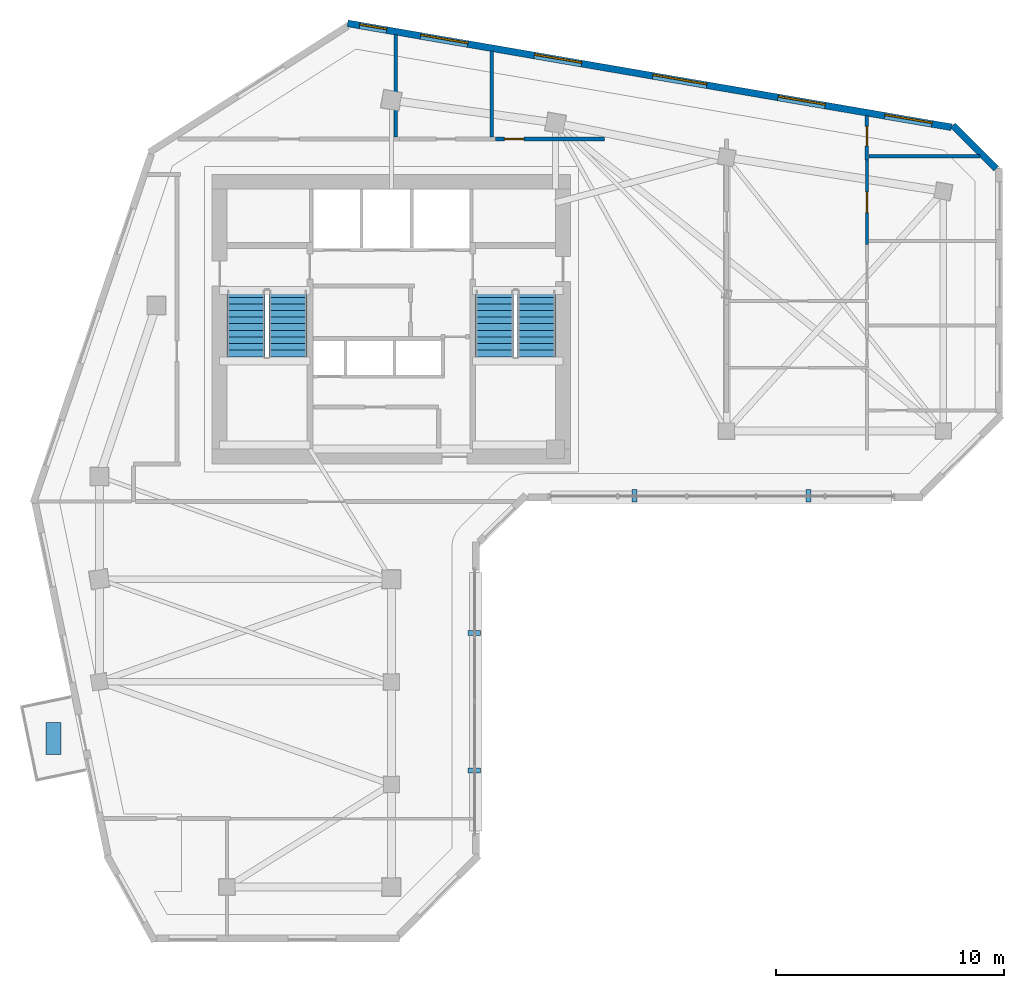
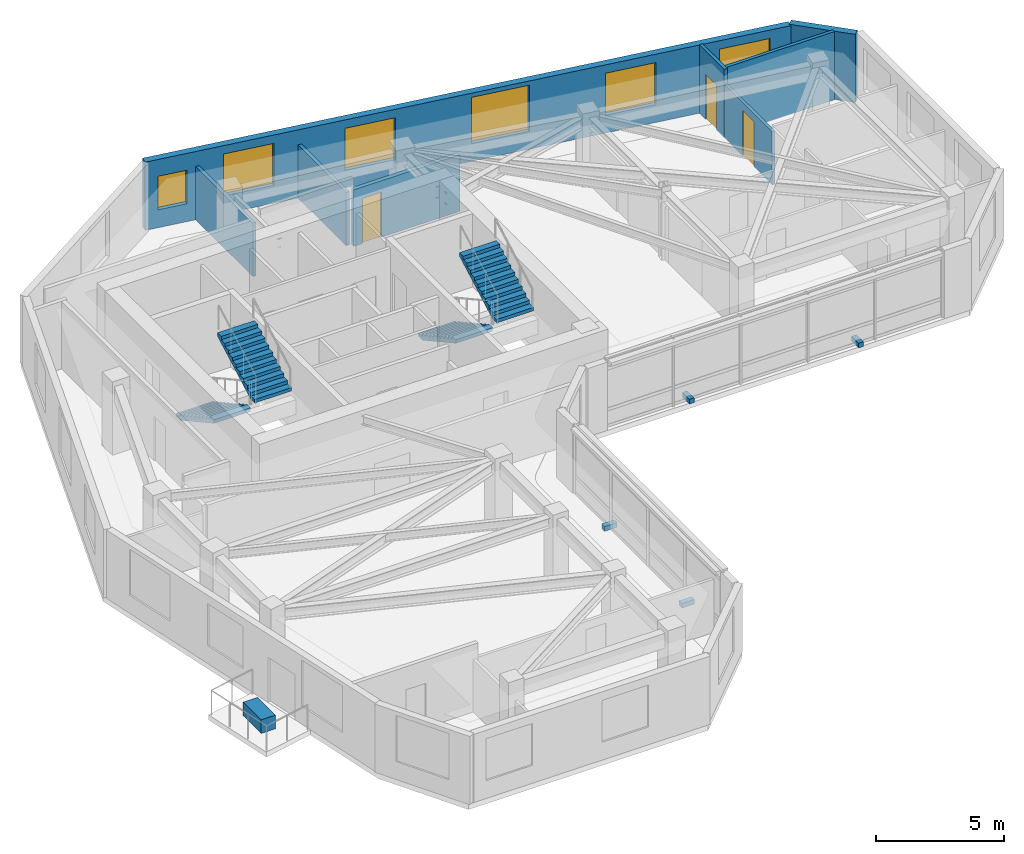
# One storey, part 7 of 10: 8 walls, 6 windows, 5 discrete accessories, 4 stair flights, 3 doors, 9 openings, 2 elements without a shape of their own.
"""IFC4 building model written with IfcOpenShell, lengths in metres."""

from ifc_helpers import new_model, si_unit, direction, frame, frame_2d, origin, origin_2d, place, context, subcontext, project, spatial, polyline, rectangle, outline, extrude, source, transform, mapped, material, layer, layer_set, type_object, element, fill, aggregate, save


model = new_model("IFC4")

# Units and contexts
model_context = context("Model", 3, precision=1e-05, world=origin(), true_north=direction((0.0, 1.0)))
body_context = subcontext(model_context, "Body", "Model", "MODEL_VIEW")
ifc_project = project(units=[si_unit("LENGTHUNIT", "METRE"), si_unit("AREAUNIT", "SQUARE_METRE"), si_unit("VOLUMEUNIT", "CUBIC_METRE"), si_unit("PLANEANGLEUNIT", "RADIAN"), si_unit("MASSUNIT", "GRAM", prefix="KILO")], contexts=[model_context])

# Site, building, storey
site_placement = place(None, origin())
site = spatial("IfcSite", under=ifc_project, at=site_placement, CompositionType="ELEMENT")
building_placement = place(site_placement, origin())
building = spatial("IfcBuilding", under=site, at=building_placement, Name="Calvemar Wedge Station Tower", CompositionType="ELEMENT")
storey_placement = place(building_placement, frame((0.0, 0.0, 204.39990234375)))
storey = spatial("IfcBuildingStorey", under=building, at=storey_placement, Name="L51", CompositionType="ELEMENT", Elevation=204.39990234375)

# Wall, opening, door
ifc_material_1 = material(Name="Double-stud fire-rated corridor partition")
ifc_layer_1 = layer(ifc_material_1, 0.179931640625)
ifc_layer_set_1 = layer_set([ifc_layer_1], Name="Double-stud fire-rated corridor partition")
wall_type_1 = type_object("IfcWallType", Name="W-CORR-180", PredefinedType="PARTITIONING", material=ifc_layer_set_1)
wall_1_placement = place(storey_placement, frame((28.362060546875, 47.800048828125, 0.0), z_axis=(0.0, 0.0, 1.0), x_axis=(1.0, 0.0, 0.0)))
wall_1 = element("IfcWall", 1, at=wall_1_placement, inside=storey, type_object=wall_type_1, Name="Storey L51 Interior Partition WL-L51-013", PredefinedType="PARTITIONING", context=body_context, shape_type="SweptSolid", body=[
    extrude(rectangle(XDim=4.787841796875, YDim=0.179931640625, at=frame_2d((2.39404296875, 0.0))), origin(), (0.0, 0.0, 1.0), 2.68798828125),
])
shared_shape_1 = source(origin(), body_context, "Body", "SweptSolid", [
    extrude(rectangle(XDim=0.85009765625, YDim=2.14990234375, at=frame_2d((0.425048828125, 1.074951171875))), frame((0.0, 0.10009765625, 0.0), z_axis=(0.0, -1.0, 0.0), x_axis=(1.0, 0.0, 0.0)), (0.0, 0.0, 1.0), 0.199951171875),
])
opening_1_placement = place(wall_1_placement, frame((0.400634765625, 0.0, 0.0)))
opening_1 = element("IfcOpeningElement", 2, at=opening_1_placement, cuts=wall_1, Name="Opening D-02", PredefinedType="OPENING", context=body_context, shape_type="MappedRepresentation", body=[
    mapped(shared_shape_1, transform((0.0, 0.0, 0.0), scale=1.0)),
])
ifc_material_2 = material(Name="Moisture-sealed bathroom hardwood swing door", Category="wood")
door_type_1 = type_object("IfcDoorType", Name="DR-WET-850", OperationType="NOTDEFINED", PredefinedType="DOOR", material=ifc_material_2)
shared_shape_2 = source(origin(), body_context, "Body", "SweptSolid", [
    extrude(rectangle(XDim=0.85009765625, YDim=2.14990234375, at=frame_2d((0.425048828125, 1.074951171875))), frame((0.0, 0.02490234375, 0.0), z_axis=(0.0, -1.0, 0.0), x_axis=(1.0, 0.0, 0.0)), (0.0, 0.0, 1.0), 0.050048828125),
])
door_1_placement = place(opening_1_placement, origin())
door_1 = element("IfcDoor", 3, at=door_1_placement, inside=storey, type_object=door_type_1, Name="L51 Storage Room Door", OperationType="SINGLE_SWING_LEFT", OverallHeight=2.14990234375, OverallWidth=0.85009765625, PredefinedType="DOOR", context=body_context, shape_type="MappedRepresentation", body=[
    mapped(shared_shape_2, transform((0.0, 0.0, 0.0), scale=1.0)),
])
fill(opening_1, door_1)

# Wall
ifc_material_3 = material(Name="Precast concrete C45", Category="concrete")
ifc_layer_2 = layer(ifc_material_3, 0.300048828125)
ifc_layer_set_2 = layer_set([ifc_layer_2], Name="Precast concrete C45")
wall_type_2 = type_object("IfcWallType", Name="W-EXT-GFRC-300", PredefinedType="SOLIDWALL", material=ifc_layer_set_2)
wall_2_placement = place(storey_placement, frame((50.31201171875, 46.5, 0.0), z_axis=(0.0, 0.0, 1.0), x_axis=(-0.707106781187, 0.707106781187, 0.0)))
element("IfcWall", 4, at=wall_2_placement, inside=storey, type_object=wall_type_2, Name="Storey L51 Bronze GFRC Exterior Wall 9", PredefinedType="SOLIDWALL", context=body_context, shape_type="SweptSolid", body=[
    extrude(rectangle(XDim=2.67333984375, YDim=0.300048828125, at=frame_2d((1.336669921875, 0.0))), origin(), (0.0, 0.0, 1.0), 3.25),
])

# Wall, openings, windows
wall_3_placement = place(storey_placement, frame((48.361083984375, 48.31298828125, 0.0), z_axis=(0.0, 0.0, 1.0), x_axis=(-0.985523113069, 0.169541126597, 0.0)))
wall_3 = element("IfcWall", 5, at=wall_3_placement, inside=storey, type_object=wall_type_2, Name="Storey L51 Bronze GFRC Exterior Wall 10", PredefinedType="SOLIDWALL", context=body_context, shape_type="SweptSolid", body=[
    extrude(rectangle(XDim=26.8662109375, YDim=0.300048828125, at=frame_2d((13.43310546875, 0.0))), origin(), (0.0, 0.0, 1.0), 3.25),
])
shared_shape_3 = source(origin(), body_context, "Body", "SweptSolid", [
    extrude(rectangle(XDim=2.10009765625, YDim=2.0, at=frame_2d((1.050048828125, 1.0))), frame((0.0, 0.16015625, 0.0), z_axis=(0.0, -1.0, 0.0), x_axis=(1.0, 0.0, 0.0)), (0.0, 0.0, 1.0), 0.320068359375),
])
opening_2_placement = place(wall_3_placement, frame((0.87109375, 0.0, 0.85009765625)))
opening_2 = element("IfcOpeningElement", 6, at=opening_2_placement, cuts=wall_3, Name="Opening W4", PredefinedType="OPENING", context=body_context, shape_type="MappedRepresentation", body=[
    mapped(shared_shape_3, transform((0.0, 0.0, 0.0), scale=1.0)),
])
opening_3_placement = place(wall_3_placement, frame((5.62109375, 0.0, 0.85009765625)))
opening_3 = element("IfcOpeningElement", 7, at=opening_3_placement, cuts=wall_3, Name="Opening W4", PredefinedType="OPENING", context=body_context, shape_type="MappedRepresentation", body=[
    mapped(shared_shape_3, transform((0.0, 0.0, 0.0), scale=1.0)),
])
shared_shape_4 = source(origin(), body_context, "Body", "SweptSolid", [
    extrude(rectangle(XDim=2.39990234375, YDim=2.199951171875, at=frame_2d((1.199951171875, 1.10009765625))), frame((0.0, 0.16015625, 0.0), z_axis=(0.0, -1.0, 0.0), x_axis=(1.0, 0.0, 0.0)), (0.0, 0.0, 1.0), 0.320068359375),
])
opening_4_placement = place(wall_3_placement, frame((10.889892578125, 0.0, 0.85009765625)))
opening_4 = element("IfcOpeningElement", 8, at=opening_4_placement, cuts=wall_3, Name="Opening W1", PredefinedType="OPENING", context=body_context, shape_type="MappedRepresentation", body=[
    mapped(shared_shape_4, transform((0.0, 0.0, 0.0), scale=1.0)),
])
opening_5_placement = place(wall_3_placement, frame((16.4580078125, 0.0, 0.85009765625)))
opening_5 = element("IfcOpeningElement", 9, at=opening_5_placement, cuts=wall_3, Name="Opening W4", PredefinedType="OPENING", context=body_context, shape_type="MappedRepresentation", body=[
    mapped(shared_shape_3, transform((0.0, 0.0, 0.0), scale=1.0)),
])
opening_6_placement = place(wall_3_placement, frame((21.51806640625, 0.0, 0.85009765625)))
opening_6 = element("IfcOpeningElement", 10, at=opening_6_placement, cuts=wall_3, Name="Opening W4", PredefinedType="OPENING", context=body_context, shape_type="MappedRepresentation", body=[
    mapped(shared_shape_3, transform((0.0, 0.0, 0.0), scale=1.0)),
])
shared_shape_5 = source(origin(), body_context, "Body", "SweptSolid", [
    extrude(rectangle(XDim=1.199951171875, YDim=1.60009765625, at=frame_2d((0.60009765625, 0.800048828125))), frame((0.0, 0.16015625, 0.0), z_axis=(0.0, -1.0, 0.0), x_axis=(1.0, 0.0, 0.0)), (0.0, 0.0, 1.0), 0.320068359375),
])
opening_7_placement = place(wall_3_placement, frame((25.133056640625, 0.0, 0.85009765625)))
opening_7 = element("IfcOpeningElement", 11, at=opening_7_placement, cuts=wall_3, Name="Opening W5", PredefinedType="OPENING", context=body_context, shape_type="MappedRepresentation", body=[
    mapped(shared_shape_5, transform((0.0, 0.0, 0.0), scale=1.0)),
])
ifc_material_4 = material(Name="Low-E laminated insulated glass", Category="glass")
window_type_1 = type_object("IfcWindowType", Name="WIN-EXT-4", PartitioningType="SINGLE_PANEL", PredefinedType="WINDOW", material=ifc_material_4)
shared_shape_6 = source(origin(), body_context, "Body", "SweptSolid", [
    extrude(rectangle(XDim=2.10009765625, YDim=2.0, at=frame_2d((1.050048828125, 1.0))), frame((0.0, -0.014892578125, 0.0), z_axis=(0.0, -1.0, 0.0), x_axis=(1.0, 0.0, 0.0)), (0.0, 0.0, 1.0), 0.06005859375),
])
window_1_placement = place(opening_2_placement, origin())
window_1 = element("IfcWindow", 12, at=window_1_placement, inside=storey, type_object=window_type_1, Name="Storey L51 Recessed Window 10.1", OverallHeight=2.0, OverallWidth=2.10009765625, PartitioningType="SINGLE_PANEL", PredefinedType="WINDOW", context=body_context, shape_type="MappedRepresentation", body=[
    mapped(shared_shape_6, transform((0.0, 0.0, 0.0), scale=1.0)),
])
fill(opening_2, window_1)
window_2_placement = place(opening_3_placement, origin())
window_2 = element("IfcWindow", 13, at=window_2_placement, inside=storey, type_object=window_type_1, Name="Storey L51 Recessed Window 10.2", OverallHeight=2.0, OverallWidth=2.10009765625, PartitioningType="SINGLE_PANEL", PredefinedType="WINDOW", context=body_context, shape_type="MappedRepresentation", body=[
    mapped(shared_shape_6, transform((0.0, 0.0, 0.0), scale=1.0)),
])
fill(opening_3, window_2)
window_3_placement = place(opening_5_placement, origin())
window_3 = element("IfcWindow", 14, at=window_3_placement, inside=storey, type_object=window_type_1, Name="Storey L51 Recessed Window 10.4", OverallHeight=2.0, OverallWidth=2.10009765625, PartitioningType="SINGLE_PANEL", PredefinedType="WINDOW", context=body_context, shape_type="MappedRepresentation", body=[
    mapped(shared_shape_6, transform((0.0, 0.0, 0.0), scale=1.0)),
])
fill(opening_5, window_3)
window_4_placement = place(opening_6_placement, origin())
window_4 = element("IfcWindow", 15, at=window_4_placement, inside=storey, type_object=window_type_1, Name="Storey L51 Recessed Window 10.5", OverallHeight=2.0, OverallWidth=2.10009765625, PartitioningType="SINGLE_PANEL", PredefinedType="WINDOW", context=body_context, shape_type="MappedRepresentation", body=[
    mapped(shared_shape_6, transform((0.0, 0.0, 0.0), scale=1.0)),
])
fill(opening_6, window_4)
window_type_2 = type_object("IfcWindowType", Name="WIN-EXT-1", PartitioningType="SINGLE_PANEL", PredefinedType="WINDOW", material=ifc_material_4)
shared_shape_7 = source(origin(), body_context, "Body", "SweptSolid", [
    extrude(rectangle(XDim=2.39990234375, YDim=2.199951171875, at=frame_2d((1.199951171875, 1.10009765625))), frame((0.0, -0.014892578125, 0.0), z_axis=(0.0, -1.0, 0.0), x_axis=(1.0, 0.0, 0.0)), (0.0, 0.0, 1.0), 0.06005859375),
])
window_5_placement = place(opening_4_placement, origin())
window_5 = element("IfcWindow", 16, at=window_5_placement, inside=storey, type_object=window_type_2, Name="Storey L51 Recessed Window 10.3", OverallHeight=2.199951171875, OverallWidth=2.39990234375, PartitioningType="SINGLE_PANEL", PredefinedType="WINDOW", context=body_context, shape_type="MappedRepresentation", body=[
    mapped(shared_shape_7, transform((0.0, 0.0, 0.0), scale=1.0)),
])
fill(opening_4, window_5)
window_type_3 = type_object("IfcWindowType", Name="WIN-EXT-5", PartitioningType="SINGLE_PANEL", PredefinedType="WINDOW", material=ifc_material_4)
shared_shape_8 = source(origin(), body_context, "Body", "SweptSolid", [
    extrude(rectangle(XDim=1.199951171875, YDim=1.60009765625, at=frame_2d((0.60009765625, 0.800048828125))), frame((0.0, -0.014892578125, 0.0), z_axis=(0.0, -1.0, 0.0), x_axis=(1.0, 0.0, 0.0)), (0.0, 0.0, 1.0), 0.06005859375),
])
window_6_placement = place(opening_7_placement, origin())
window_6 = element("IfcWindow", 17, at=window_6_placement, inside=storey, type_object=window_type_3, Name="Storey L51 Recessed Window 10.6", OverallHeight=1.60009765625, OverallWidth=1.199951171875, PartitioningType="SINGLE_PANEL", PredefinedType="WINDOW", context=body_context, shape_type="MappedRepresentation", body=[
    mapped(shared_shape_8, transform((0.0, 0.0, 0.0), scale=1.0)),
])
fill(opening_7, window_6)

# Wall, opening, door
ifc_material_5 = material(Name="Insulated acoustic gypsum stud partition")
ifc_layer_3 = layer(ifc_material_5, 0.125)
ifc_layer_set_3 = layer_set([ifc_layer_3], Name="Insulated acoustic gypsum stud partition")
wall_type_3 = type_object("IfcWallType", Name="W-PART-125", PredefinedType="PARTITIONING", material=ifc_layer_set_3)
wall_4_placement = place(storey_placement, frame((44.654052734375, 46.881103515625, 0.0), z_axis=(0.0, 0.0, 1.0), x_axis=(0.0, -1.0, 0.0)))
wall_4 = element("IfcWall", 18, at=wall_4_placement, inside=storey, type_object=wall_type_3, Name="Storey L51 Interior Partition WL-L51-025", PredefinedType="PARTITIONING", context=body_context, shape_type="SweptSolid", body=[
    extrude(rectangle(XDim=3.712158203125, YDim=0.125, at=frame_2d((1.85595703125, 0.0))), origin(), (0.0, 0.0, 1.0), 2.5419921875),
])
shared_shape_9 = source(origin(), body_context, "Body", "SweptSolid", [
    extrude(rectangle(XDim=0.89990234375, YDim=2.14990234375, at=frame_2d((0.449951171875, 1.074951171875))), frame((0.0, 0.072509765625, 0.0), z_axis=(0.0, -1.0, 0.0), x_axis=(1.0, 0.0, 0.0)), (0.0, 0.0, 1.0), 0.14501953125),
])
opening_8_placement = place(wall_4_placement, frame((1.406005859375, 0.0, 0.0)))
opening_8 = element("IfcOpeningElement", 19, at=opening_8_placement, cuts=wall_4, Name="Opening D-01", PredefinedType="OPENING", context=body_context, shape_type="MappedRepresentation", body=[
    mapped(shared_shape_9, transform((0.0, 0.0, 0.0), scale=1.0)),
])
ifc_material_6 = material(Name="Architectural hardwood acoustic swing door", Category="wood")
door_type_2 = type_object("IfcDoorType", Name="DR-INT-900", OperationType="NOTDEFINED", PredefinedType="DOOR", material=ifc_material_6)
shared_shape_10 = source(origin(), body_context, "Body", "SweptSolid", [
    extrude(rectangle(XDim=0.89990234375, YDim=2.14990234375, at=frame_2d((0.449951171875, 1.074951171875))), frame((0.0, 0.02490234375, 0.0), z_axis=(0.0, -1.0, 0.0), x_axis=(1.0, 0.0, 0.0)), (0.0, 0.0, 1.0), 0.050048828125),
])
door_2_placement = place(opening_8_placement, origin())
door_2 = element("IfcDoor", 20, at=door_2_placement, inside=storey, type_object=door_type_2, Name="L51 Master Bedroom Door", OperationType="SINGLE_SWING_RIGHT", OverallHeight=2.14990234375, OverallWidth=0.89990234375, PredefinedType="DOOR", context=body_context, shape_type="MappedRepresentation", body=[
    mapped(shared_shape_10, transform((0.0, 0.0, 0.0), scale=1.0)),
])
fill(opening_8, door_2)

# Walls
ifc_material_7 = material(Name="Moisture-resistant acoustic bathroom partition")
ifc_layer_4 = layer(ifc_material_7, 0.14990234375)
ifc_layer_set_4 = layer_set([ifc_layer_4], Name="Moisture-resistant acoustic bathroom partition")
wall_type_4 = type_object("IfcWallType", Name="W-WET-150", PredefinedType="PARTITIONING", material=ifc_layer_set_4)
wall_5_placement = place(storey_placement, frame((24.0, 52.386962890625, 0.0), z_axis=(0.0, 0.0, 1.0), x_axis=(0.0, -1.0, 0.0)))
element("IfcWall", 21, at=wall_5_placement, inside=storey, type_object=wall_type_4, Name="Storey L51 Interior Partition WL-L51-015", PredefinedType="PARTITIONING", context=body_context, shape_type="SweptSolid", body=[
    extrude(rectangle(XDim=4.492919921875, YDim=0.14990234375, at=frame_2d((2.24658203125, 0.0))), origin(), (0.0, 0.0, 1.0), 2.5419921875),
])
wall_6_placement = place(storey_placement, frame((28.199951171875, 51.66455078125, 0.0), z_axis=(0.0, 0.0, 1.0), x_axis=(0.0, -1.0, 0.0)))
element("IfcWall", 22, at=wall_6_placement, inside=storey, type_object=wall_type_4, Name="Storey L51 Interior Partition WL-L51-016", PredefinedType="PARTITIONING", context=body_context, shape_type="SweptSolid", body=[
    extrude(rectangle(XDim=3.7705078125, YDim=0.14990234375, at=frame_2d((1.88525390625, 0.0))), origin(), (0.0, 0.0, 1.0), 2.5419921875),
])

# Wall, opening, door
wall_7_placement = place(storey_placement, frame((44.654052734375, 48.833984375, 0.0), z_axis=(0.0, 0.0, 1.0), x_axis=(0.0, -1.0, 0.0)))
wall_7 = element("IfcWall", 23, at=wall_7_placement, inside=storey, type_object=wall_type_4, Name="Storey L51 Interior Partition WL-L51-024", PredefinedType="PARTITIONING", context=body_context, shape_type="SweptSolid", body=[
    extrude(rectangle(XDim=1.950927734375, YDim=0.14990234375, at=frame_2d((0.9755859375, 0.0))), origin(), (0.0, 0.0, 1.0), 3.25),
])
shared_shape_11 = source(origin(), body_context, "Body", "SweptSolid", [
    extrude(rectangle(XDim=0.85009765625, YDim=2.14990234375, at=frame_2d((0.425048828125, 1.074951171875))), frame((0.0, 0.0849609375, 0.0), z_axis=(0.0, -1.0, 0.0), x_axis=(1.0, 0.0, 0.0)), (0.0, 0.0, 1.0), 0.169921875),
])
opening_9_placement = place(wall_7_placement, frame((0.48291015625, 0.0, 0.0)))
opening_9 = element("IfcOpeningElement", 24, at=opening_9_placement, cuts=wall_7, Name="Opening D-02", PredefinedType="OPENING", context=body_context, shape_type="MappedRepresentation", body=[
    mapped(shared_shape_11, transform((0.0, 0.0, 0.0), scale=1.0)),
])
door_3_placement = place(opening_9_placement, origin())
door_3 = element("IfcDoor", 25, at=door_3_placement, inside=storey, type_object=door_type_1, Name="L51 Bathroom Door", OperationType="SINGLE_SWING_LEFT", OverallHeight=2.14990234375, OverallWidth=0.85009765625, PredefinedType="DOOR", context=body_context, shape_type="MappedRepresentation", body=[
    mapped(shared_shape_2, transform((0.0, 0.0, 0.0), scale=1.0)),
])
fill(opening_9, door_3)

# Wall
wall_8_placement = place(storey_placement, frame((49.606201171875, 47.04296875, 0.0), z_axis=(0.0, 0.0, 1.0), x_axis=(-1.0, 0.0, 0.0)))
element("IfcWall", 26, at=wall_8_placement, inside=storey, type_object=wall_type_4, Name="Storey L51 Interior Partition WL-L51-029", PredefinedType="PARTITIONING", context=body_context, shape_type="SweptSolid", body=[
    extrude(rectangle(XDim=4.873291015625, YDim=0.14990234375, at=frame_2d((2.4365234375, 0.0))), origin(), (0.0, 0.0, 1.0), 3.25),
])

# Stair, stair flights
ifc_material_8 = material(Name="Concrete C45", Category="concrete")
stair_type = type_object("IfcStairType", Name="ST-TYPE-3500", PredefinedType="HALF_TURN_STAIR", material=ifc_material_8)
stair_1_placement = place(storey_placement, origin())
stair_1 = element("IfcStair", 27, at=stair_1_placement, inside=storey, type_object=stair_type, Name="L51 Pressurized Core Exit Stair ST-C1", PredefinedType="HALF_TURN_STAIR")
stair_flight_type = type_object("IfcStairFlightType", Name="STF-TYPE-3500", PredefinedType="STRAIGHT", material=ifc_material_8)
stair_flight_1_placement = place(storey_placement, frame((17.429931640625, 41.14990234375, 0.0), z_axis=(0.0, 0.0, 1.0), x_axis=(0.0, -1.0, 0.0)))
stair_flight_1 = element("IfcStairFlight", 28, at=stair_flight_1_placement, type_object=stair_flight_type, Name="ST-C1 flight 1", NumberOfRisers=11, NumberOfTreads=10, PredefinedType="STRAIGHT", RiserHeight=0.159090909, TreadLength=0.29, context=body_context, shape_type="SweptSolid", body=[
    extrude(outline(polyline([(0.0, 0.0), (0.0, 0.1591796875), (0.2900390625, 0.1591796875), (0.2900390625, 0.318115234375), (0.580078125, 0.318115234375), (0.580078125, 0.477294921875), (0.8701171875, 0.477294921875), (0.8701171875, 0.636474609375), (1.159912109375, 0.636474609375), (1.159912109375, 0.79541015625), (1.449951171875, 0.79541015625), (1.449951171875, 0.95458984375), (1.739990234375, 0.95458984375), (1.739990234375, 1.113525390625), (2.030029296875, 1.113525390625), (2.030029296875, 1.272705078125), (2.320068359375, 1.272705078125), (2.320068359375, 1.431884765625), (2.610107421875, 1.431884765625), (2.610107421875, 1.5908203125), (2.89990234375, 1.5908203125), (2.89990234375, 1.75), (2.89990234375, 1.419921875), (0.311767578125, 0.0), (0.0, 0.0)])), frame((0.0, 0.830078125, 0.0), z_axis=(0.0, -1.0, 0.0), x_axis=(1.0, 0.0, 0.0)), (0.0, 0.0, 1.0), 1.659912109375),
])
stair_flight_2_placement = place(storey_placement, frame((19.27001953125, 38.25, 1.75), z_axis=(0.0, 0.0, 1.0), x_axis=(0.0, 1.0, 0.0)))
stair_flight_2 = element("IfcStairFlight", 29, at=stair_flight_2_placement, type_object=stair_flight_type, Name="ST-C1 flight 2", NumberOfRisers=11, NumberOfTreads=10, PredefinedType="STRAIGHT", RiserHeight=0.159090909, TreadLength=0.29, context=body_context, shape_type="SweptSolid", body=[
    extrude(outline(polyline([(0.0, 0.0), (0.0, 0.1591796875), (0.2900390625, 0.1591796875), (0.2900390625, 0.318115234375), (0.580078125, 0.318115234375), (0.580078125, 0.477294921875), (0.8701171875, 0.477294921875), (0.8701171875, 0.636474609375), (1.159912109375, 0.636474609375), (1.159912109375, 0.79541015625), (1.449951171875, 0.79541015625), (1.449951171875, 0.95458984375), (1.739990234375, 0.95458984375), (1.739990234375, 1.113525390625), (2.030029296875, 1.113525390625), (2.030029296875, 1.272705078125), (2.320068359375, 1.272705078125), (2.320068359375, 1.431884765625), (2.610107421875, 1.431884765625), (2.610107421875, 1.5908203125), (2.89990234375, 1.5908203125), (2.89990234375, 1.75), (2.89990234375, 1.419921875), (0.311767578125, 0.0), (0.0, 0.0)])), frame((0.0, 0.830078125, 0.0), z_axis=(0.0, -1.0, 0.0), x_axis=(1.0, 0.0, 0.0)), (0.0, 0.0, 1.0), 1.659912109375),
])
aggregate(stair_1, [stair_flight_1, stair_flight_2])

stair_2_placement = place(storey_placement, origin())
stair_2 = element("IfcStair", 30, at=stair_2_placement, inside=storey, type_object=stair_type, Name="L51 Pressurized Core Exit Stair ST-C2", PredefinedType="HALF_TURN_STAIR")
stair_flight_3_placement = place(storey_placement, frame((28.330078125, 41.14990234375, 0.0), z_axis=(0.0, 0.0, 1.0), x_axis=(0.0, -1.0, 0.0)))
stair_flight_3 = element("IfcStairFlight", 31, at=stair_flight_3_placement, type_object=stair_flight_type, Name="ST-C2 flight 1", NumberOfRisers=11, NumberOfTreads=10, PredefinedType="STRAIGHT", RiserHeight=0.159090909, TreadLength=0.29, context=body_context, shape_type="SweptSolid", body=[
    extrude(outline(polyline([(0.0, 0.0), (0.0, 0.1591796875), (0.2900390625, 0.1591796875), (0.2900390625, 0.318115234375), (0.580078125, 0.318115234375), (0.580078125, 0.477294921875), (0.8701171875, 0.477294921875), (0.8701171875, 0.636474609375), (1.159912109375, 0.636474609375), (1.159912109375, 0.79541015625), (1.449951171875, 0.79541015625), (1.449951171875, 0.95458984375), (1.739990234375, 0.95458984375), (1.739990234375, 1.113525390625), (2.030029296875, 1.113525390625), (2.030029296875, 1.272705078125), (2.320068359375, 1.272705078125), (2.320068359375, 1.431884765625), (2.610107421875, 1.431884765625), (2.610107421875, 1.5908203125), (2.89990234375, 1.5908203125), (2.89990234375, 1.75), (2.89990234375, 1.419921875), (0.311767578125, 0.0), (0.0, 0.0)])), frame((0.0, 0.830078125, 0.0), z_axis=(0.0, -1.0, 0.0), x_axis=(1.0, 0.0, 0.0)), (0.0, 0.0, 1.0), 1.659912109375),
])
stair_flight_4_placement = place(storey_placement, frame((30.169921875, 38.25, 1.75), z_axis=(0.0, 0.0, 1.0), x_axis=(0.0, 1.0, 0.0)))
stair_flight_4 = element("IfcStairFlight", 32, at=stair_flight_4_placement, type_object=stair_flight_type, Name="ST-C2 flight 2", NumberOfRisers=11, NumberOfTreads=10, PredefinedType="STRAIGHT", RiserHeight=0.159090909, TreadLength=0.29, context=body_context, shape_type="SweptSolid", body=[
    extrude(outline(polyline([(0.0, 0.0), (0.0, 0.1591796875), (0.2900390625, 0.1591796875), (0.2900390625, 0.318115234375), (0.580078125, 0.318115234375), (0.580078125, 0.477294921875), (0.8701171875, 0.477294921875), (0.8701171875, 0.636474609375), (1.159912109375, 0.636474609375), (1.159912109375, 0.79541015625), (1.449951171875, 0.79541015625), (1.449951171875, 0.95458984375), (1.739990234375, 0.95458984375), (1.739990234375, 1.113525390625), (2.030029296875, 1.113525390625), (2.030029296875, 1.272705078125), (2.320068359375, 1.272705078125), (2.320068359375, 1.431884765625), (2.610107421875, 1.431884765625), (2.610107421875, 1.5908203125), (2.89990234375, 1.5908203125), (2.89990234375, 1.75), (2.89990234375, 1.419921875), (0.311767578125, 0.0), (0.0, 0.0)])), frame((0.0, 0.830078125, 0.0), z_axis=(0.0, -1.0, 0.0), x_axis=(1.0, 0.0, 0.0)), (0.0, 0.0, 1.0), 1.659912109375),
])
aggregate(stair_2, [stair_flight_3, stair_flight_4])

# Discrete accessories
ifc_material_9 = material(Name="Stainless steel AISI 316L", Category="steel")
discrete_accessory_type_1 = type_object("IfcDiscreteAccessoryType", Name="BRK-316L", PredefinedType="BRACKET", material=ifc_material_9)
shared_shape_12 = source(origin(), body_context, "Body", "SweptSolid", [
    extrude(rectangle(XDim=0.219970703125, YDim=0.56005859375, at=origin_2d()), origin(), (0.0, 0.0, 1.0), 0.219970703125),
])
for number, where, z_axis, x_axis, name in (
    (33, (27.43408203125, 20.10498046875, 0.0), (0.0, 0.0, 1.0), (0.0, 1.0, 0.0), "Storey L51 Recessed Facade Stainless Bracket 4.1"),
    (34, (27.43408203125, 26.143310546875, 0.0), (0.0, 0.0, 1.0), (0.0, 1.0, 0.0), "Storey L51 Recessed Facade Stainless Bracket 4.2"),
    (35, (34.455810546875, 32.154052734375, 0.0), (0.0, 0.0, 1.0), (1.0, 0.0, 0.0), "Storey L51 Recessed Facade Stainless Bracket 6.1"),
    (36, (42.083740234375, 32.154052734375, 0.0), (0.0, 0.0, 1.0), (1.0, 0.0, 0.0), "Storey L51 Recessed Facade Stainless Bracket 6.2"),
):
    element("IfcDiscreteAccessory", number, at=place(storey_placement, frame(where, z_axis=z_axis, x_axis=x_axis)), inside=storey, type_object=discrete_accessory_type_1, Name=name, PredefinedType="BRACKET", context=body_context, shape_type="MappedRepresentation", body=[
        mapped(shared_shape_12, transform((0.0, 0.0, 0.0), scale=1.0)),
    ])
discrete_accessory_type_2 = type_object("IfcDiscreteAccessoryType", Name="ACC-PLANTER", PredefinedType="USERDEFINED", material=ifc_material_3)
shared_shape_13 = source(origin(), body_context, "Body", "SweptSolid", [
    extrude(rectangle(XDim=0.64990234375, YDim=1.39990234375, at=origin_2d()), origin(), (0.0, 0.0, 1.0), 0.64990234375),
])
discrete_accessory_placement = place(storey_placement, frame((8.991943359375, 21.51708984375, 0.000244140625), z_axis=(0.0, 0.0, 1.0), x_axis=(1.0, 0.0, 0.0)))
element("IfcDiscreteAccessory", 37, at=discrete_accessory_placement, inside=storey, type_object=discrete_accessory_type_2, Name="Storey L51 Planted Terrace GFRC Planter", ObjectType="PLANTER", PredefinedType="USERDEFINED", context=body_context, shape_type="MappedRepresentation", body=[
    mapped(shared_shape_13, transform((0.0, 0.0, 0.0), scale=1.0)),
])

save(model, "model.ifc")
